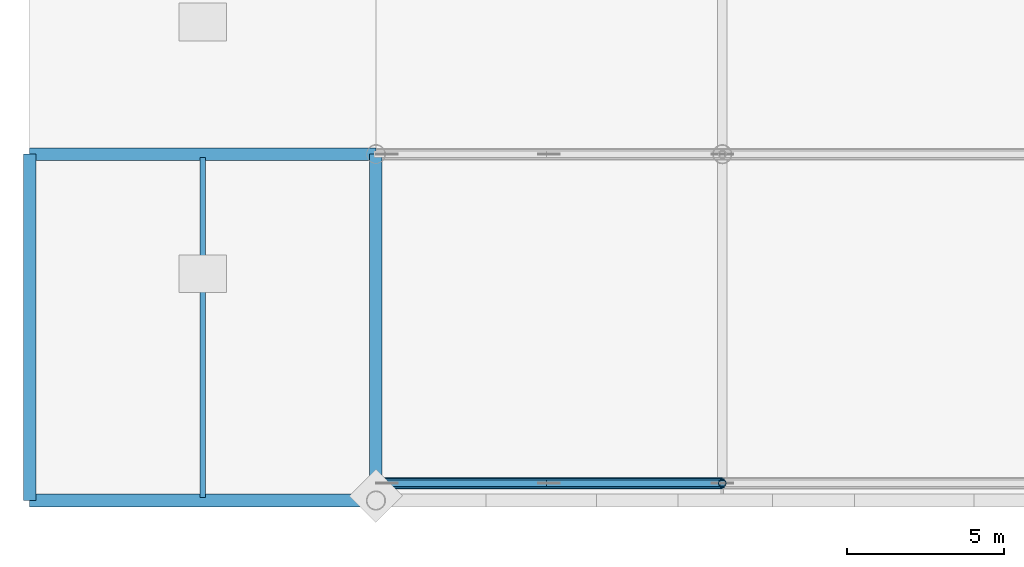
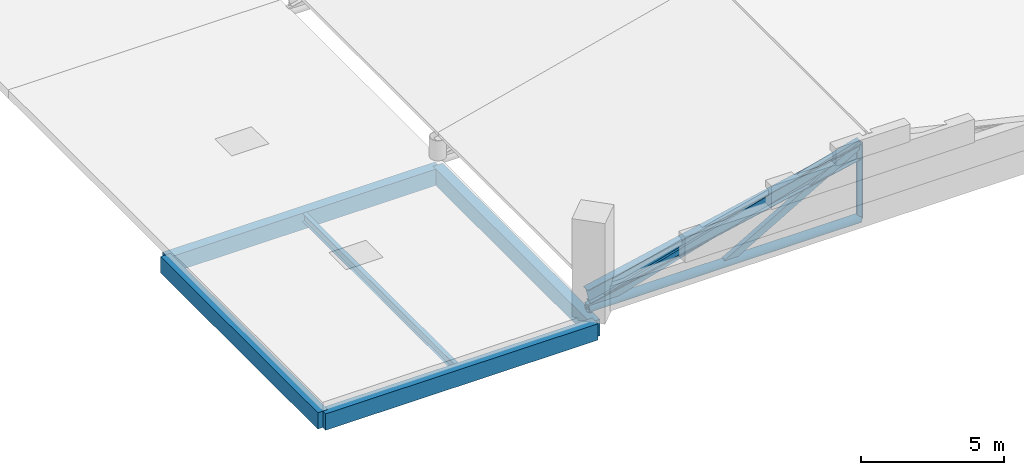
# One storey, part 24 of 77: 6 beams, 4 members.
"""IFC4 building model written with IfcOpenShell, lengths in metres."""

from ifc_helpers import new_model, si_unit, direction, frame, origin, origin_2d, place, context, subcontext, project, spatial, rectangle, hollow_rectangle, hollow_circle, i_section, extrude, material, material_profile, profile_set, type_object, element, save


model = new_model("IFC4")

# Units and contexts
model_context = context("Model", 3, precision=1e-05, world=origin(), true_north=direction((0.0, 1.0)))
body_context = subcontext(model_context, "Body", "Model", "MODEL_VIEW")
ifc_project = project(units=[si_unit("LENGTHUNIT", "METRE"), si_unit("AREAUNIT", "SQUARE_METRE"), si_unit("VOLUMEUNIT", "CUBIC_METRE"), si_unit("PLANEANGLEUNIT", "RADIAN"), si_unit("MASSUNIT", "GRAM", prefix="KILO")], contexts=[model_context])

# Site, building, storey
site_placement = place(None, origin())
site = spatial("IfcSite", under=ifc_project, at=site_placement, CompositionType="ELEMENT")
building_placement = place(site_placement, origin())
building = spatial("IfcBuilding", under=site, at=building_placement, Name="Luwafu Chhajja Arena", CompositionType="ELEMENT")
storey_placement = place(building_placement, frame((0.0, 0.0, 14.699951171875)))
storey = spatial("IfcBuildingStorey", under=building, at=storey_placement, Name="L03", CompositionType="ELEMENT", Elevation=14.699951171875)

# Members
ifc_material_1 = material(Name="Steel S355", Category="steel")
ifc_material_profile_1 = material_profile(ifc_material_1, hollow_rectangle(XDim=0.199951171875, YDim=0.39990234375, WallThickness=0.013916015625, at=origin_2d()), Name="RHS 400x200x14")
ifc_profile_set_1 = profile_set([ifc_material_profile_1], Name="Steel S355")
member_type_1 = type_object("IfcMemberType", Name="Pishtaq Roof Truss Chord RHS 400x200", PredefinedType="CHORD", material=ifc_profile_set_1)
member_1_placement = place(storey_placement, frame((11.0, 0.550048828125, -0.14990234375), z_axis=(0.960196439774, 0.0, 0.279325611153), x_axis=(0.0, 1.0, 0.0)))
element("IfcMember", 1, at=member_1_placement, inside=storey, type_object=member_type_1, Name="Pishtaq Roof Truss Chord 0W", PredefinedType="CHORD", context=body_context, shape_type="SweptSolid", body=[
    extrude(hollow_rectangle(XDim=0.199951171875, YDim=0.39990234375, WallThickness=0.013916015625, at=origin_2d()), origin(), (0.0, 0.0, 1.0), 11.4560546875),
])
ifc_material_profile_2 = material_profile(ifc_material_1, hollow_rectangle(XDim=0.199951171875, YDim=0.300048828125, WallThickness=0.011962890625, at=origin_2d()), Name="RHS 300x200x12")
ifc_profile_set_2 = profile_set([ifc_material_profile_2], Name="Steel S355")
member_type_2 = type_object("IfcMemberType", Name="Portal Frame Brace RHS 300x200", PredefinedType="BRACE", material=ifc_profile_set_2)
member_2_placement = place(storey_placement, frame((16.5, 0.550048828125, -0.14990234375), z_axis=(0.864351673204, 0.0, 0.502887845378), x_axis=(0.0, 1.0, 0.0)))
element("IfcMember", 2, at=member_2_placement, inside=storey, type_object=member_type_2, Name="Pishtaq Roof Web 0E", PredefinedType="BRACE", context=body_context, shape_type="SweptSolid", body=[
    extrude(hollow_rectangle(XDim=0.199951171875, YDim=0.300048828125, WallThickness=0.011962890625, at=origin_2d()), origin(), (0.0, 0.0, 1.0), 6.363037109375),
])

# Beam
ifc_material_profile_3 = material_profile(ifc_material_1, i_section(OverallWidth=0.30712890625, OverallDepth=0.6201171875, WebThickness=0.01416015625, FlangeThickness=0.023681640625, at=origin_2d()), Name="UB 610x305x179")
ifc_profile_set_3 = profile_set([ifc_material_profile_3], Name="Steel S355")
beam_type_1 = type_object("IfcBeamType", Name="Steel Hospitality Girder UB 610x305x179", PredefinedType="BEAM", material=ifc_profile_set_3)
beam_1_placement = place(storey_placement, frame((11.0, 0.550048828125, 0.400146484375), z_axis=(0.977934988099, 0.0, 0.208909451803), x_axis=(0.0, 1.0, 0.0)))
element("IfcBeam", 3, at=beam_1_placement, inside=storey, type_object=beam_type_1, Name="Pishtaq West Rafter 0", PredefinedType="BEAM", context=body_context, shape_type="SweptSolid", body=[
    extrude(i_section(OverallWidth=0.30712890625, OverallDepth=0.6201171875, WebThickness=0.01416015625, FlangeThickness=0.023681640625, at=origin_2d()), origin(), (0.0, 0.0, 1.0), 11.248291015625),
])

# Members
ifc_material_profile_4 = material_profile(ifc_material_1, hollow_circle(Radius=0.177734375, WallThickness=0.01416015625, at=origin_2d()), Name="CHS 355.6x14.2")
ifc_profile_set_4 = profile_set([ifc_material_profile_4], Name="Steel S355")
member_type_3 = type_object("IfcMemberType", Name="Warm-Up Truss Bottom Chord CHS 355", PredefinedType="CHORD", material=ifc_profile_set_4)
member_3_placement = place(storey_placement, frame((11.0, 0.550048828125, -0.14990234375), z_axis=(1.0, 0.0, 0.0), x_axis=(0.0, 1.0, 0.0)))
element("IfcMember", 4, at=member_3_placement, inside=storey, type_object=member_type_3, Name="Pishtaq Roof Truss Tie 0W", PredefinedType="CHORD", context=body_context, shape_type="SweptSolid", body=[
    extrude(hollow_circle(Radius=0.177734375, WallThickness=0.01416015625, at=origin_2d()), origin(), (0.0, 0.0, 1.0), 11.0),
])
ifc_material_profile_5 = material_profile(ifc_material_1, hollow_circle(Radius=0.122314453125, WallThickness=0.010009765625, at=origin_2d()), Name="CHS 244.5x10")
ifc_profile_set_5 = profile_set([ifc_material_profile_5], Name="Steel S355")
member_type_4 = type_object("IfcMemberType", Name="Warm-Up Truss Web Diagonal CHS 244", PredefinedType="BRACE", material=ifc_profile_set_5)
member_4_placement = place(storey_placement, frame((22.0, 0.550048828125, -0.14990234375), z_axis=(0.0, 0.0, 1.0), x_axis=(1.0, 0.0, 0.0)))
element("IfcMember", 5, at=member_4_placement, inside=storey, type_object=member_type_4, Name="Pishtaq Roof King Post 0", PredefinedType="BRACE", context=body_context, shape_type="SweptSolid", body=[
    extrude(hollow_circle(Radius=0.122314453125, WallThickness=0.010009765625, at=origin_2d()), origin(), (0.0, 0.0, 1.0), 3.199951171875),
])

# Beams
ifc_material_2 = material(Name="Concrete C35/45", Category="concrete")
ifc_material_profile_6 = material_profile(ifc_material_2, rectangle(XDim=0.39990234375, YDim=0.699951171875, at=origin_2d()), Name="RC 400x700")
ifc_profile_set_6 = profile_set([ifc_material_profile_6], Name="Concrete C35/45")
beam_type_2 = type_object("IfcBeamType", Name="Wing Frame Beam RC 400x700", PredefinedType="BEAM", material=ifc_profile_set_6)
for number, where, z_axis, x_axis, name in (
    (6, (0.0, 0.0, -0.724853515625), (1.0, 0.0, 0.0), (0.0, 1.0, 0.0), "L03 Podium Roof Deck Beam X-00_00"),
    (7, (0.0, 11.0, -0.724853515625), (1.0, 0.0, 0.0), (0.0, 1.0, 0.0), "L03 Podium Roof Deck Beam X-00_01"),
    (8, (0.0, 0.0, -0.724853515625), (0.0, 1.0, 0.0), (-1.0, 0.0, 0.0), "L03 Podium Roof Deck Beam Y-00_00"),
    (9, (11.0, 0.0, -0.724853515625), (0.0, 1.0, 0.0), (-1.0, 0.0, 0.0), "L03 Podium Roof Deck Beam Y-01_00"),
):
    element("IfcBeam", number, at=place(storey_placement, frame(where, z_axis=z_axis, x_axis=x_axis)), inside=storey, type_object=beam_type_2, Name=name, PredefinedType="BEAM", context=body_context, shape_type="SweptSolid", body=[
        extrude(rectangle(XDim=0.39990234375, YDim=0.699951171875, at=origin_2d()), origin(), (0.0, 0.0, 1.0), 11.0),
    ])
ifc_material_profile_7 = material_profile(ifc_material_1, i_section(OverallWidth=0.172119140625, OverallDepth=0.35791015625, WebThickness=0.008056640625, FlangeThickness=0.012939453125, at=origin_2d()), Name="UB 356x171x57")
ifc_profile_set_7 = profile_set([ifc_material_profile_7], Name="Steel S355")
beam_type_3 = type_object("IfcBeamType", Name="Wing Roof Purlin Joist UB 356x171x57", PredefinedType="JOIST", material=ifc_profile_set_7)
beam_2_placement = place(storey_placement, frame((5.5, 0.10009765625, -0.554931640625), z_axis=(0.0, 1.0, 0.0), x_axis=(-1.0, 0.0, 0.0)))
element("IfcBeam", 10, at=beam_2_placement, inside=storey, type_object=beam_type_3, Name="L03 Podium Roof Joist 0/0", PredefinedType="JOIST", context=body_context, shape_type="SweptSolid", body=[
    extrude(i_section(OverallWidth=0.172119140625, OverallDepth=0.35791015625, WebThickness=0.008056640625, FlangeThickness=0.012939453125, at=origin_2d()), origin(), (0.0, 0.0, 1.0), 10.7998046875),
])

save(model, "model.ifc")
